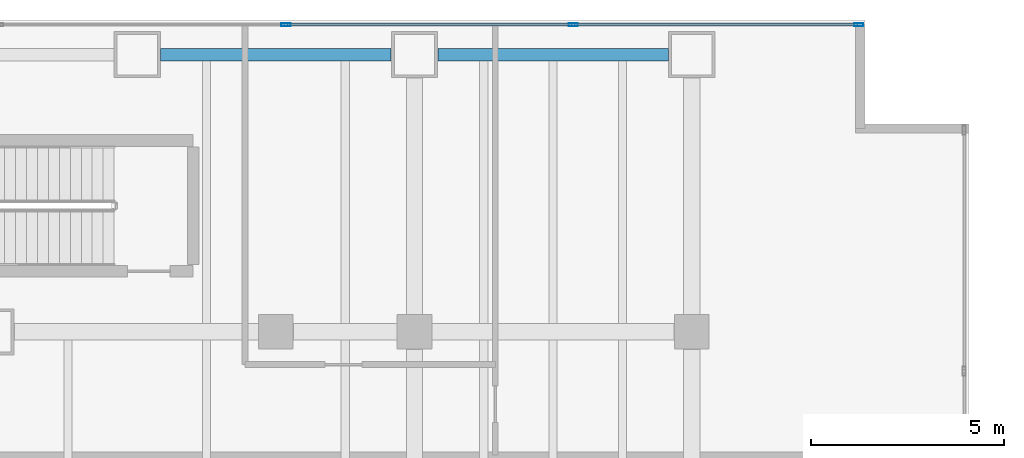
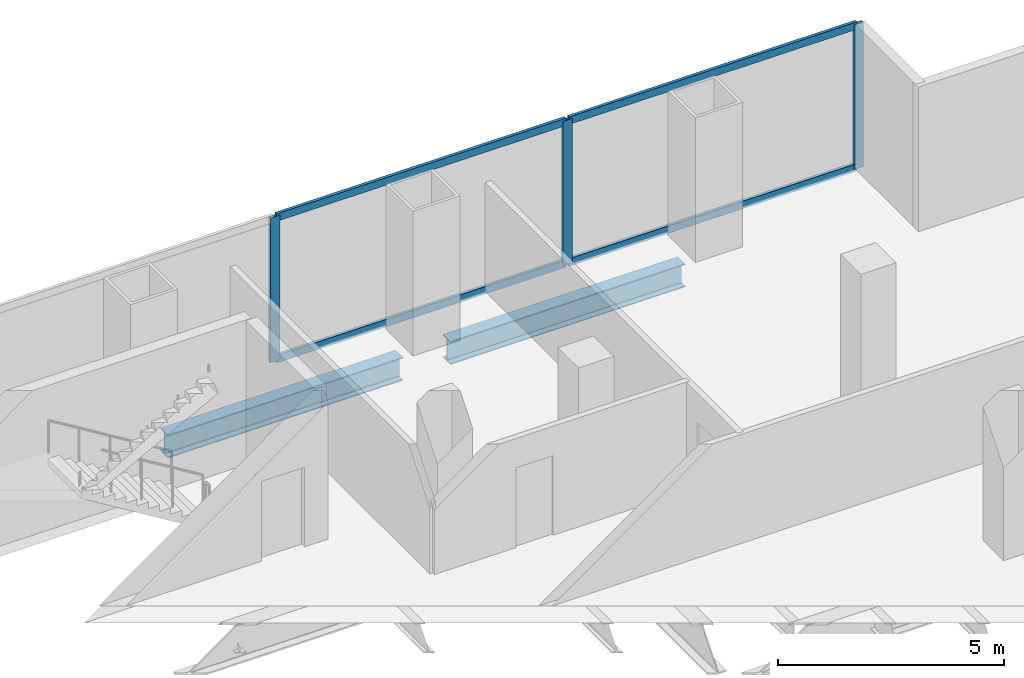
# One storey, part 16 of 34: 7 members, 2 beams, 1 element without a shape of its own.
"""IFC4 building model written with IfcOpenShell, lengths in metres."""

from ifc_helpers import new_model, si_unit, direction, frame, origin, origin_2d, place, context, subcontext, project, spatial, hollow_rectangle, i_section, extrude, material, material_profile, profile_set, type_object, element, aggregate, save


model = new_model("IFC4")

# Units and contexts
model_context = context("Model", 3, precision=1e-05, world=origin(), true_north=direction((0.0, 1.0)))
body_context = subcontext(model_context, "Body", "Model", "MODEL_VIEW")
ifc_project = project(units=[si_unit("LENGTHUNIT", "METRE"), si_unit("AREAUNIT", "SQUARE_METRE"), si_unit("VOLUMEUNIT", "CUBIC_METRE"), si_unit("PLANEANGLEUNIT", "RADIAN"), si_unit("MASSUNIT", "GRAM", prefix="KILO")], contexts=[model_context])

# Site, building, storey
site_placement = place(None, origin())
site = spatial("IfcSite", under=ifc_project, at=site_placement, CompositionType="ELEMENT")
building_placement = place(site_placement, origin())
building = spatial("IfcBuilding", under=site, at=building_placement, Name="Cobrela Telecom Tower", CompositionType="ELEMENT")
storey_placement = place(building_placement, frame((0.0, 0.0, 5.25)))
storey = spatial("IfcBuildingStorey", under=building, at=storey_placement, Name="L01", CompositionType="ELEMENT", Elevation=5.25)

# Beams
ifc_material_1 = material(Name="Steel ASTM A992 Grade 50", Category="steel")
ifc_material_profile_1 = material_profile(ifc_material_1, i_section(OverallWidth=0.327880859375, OverallDepth=0.6220703125, WebThickness=0.015380859375, FlangeThickness=0.0244140625, FilletRadius=0.014892578125, at=origin_2d()), Name="W24X131")
ifc_profile_set_1 = profile_set([ifc_material_profile_1], Name="Steel ASTM A992 Grade 50")
beam_type = type_object("IfcBeamType", Name="BM-SPAND-01", PredefinedType="SPANDREL", material=ifc_profile_set_1)
for number, where, z_axis, x_axis, name in (
    (1, (29.405029296875, 49.5, -0.611083984375), (1.0, 0.0, 0.0), (0.0, 1.0, 0.0), "L01 Perimeter Spandrel X48"),
    (2, (36.60498046875, 49.5, -0.611083984375), (1.0, 0.0, 0.0), (0.0, 1.0, 0.0), "L01 Perimeter Spandrel X49"),
):
    element("IfcBeam", number, at=place(storey_placement, frame(where, z_axis=z_axis, x_axis=x_axis)), inside=storey, type_object=beam_type, Name=name, PredefinedType="SPANDREL", context=body_context, shape_type="SweptSolid", body=[
        extrude(i_section(OverallWidth=0.327880859375, OverallDepth=0.6220703125, WebThickness=0.015380859375, FlangeThickness=0.0244140625, FilletRadius=0.014892578125, at=origin_2d()), origin(), (0.0, 0.0, 1.0), 5.989990234375),
    ])

# Curtain wall, members
ifc_material_2 = material(Name="Anodized Bronze Aluminium 6063-T6", Category="aluminium")
curtain_wall_type = type_object("IfcCurtainWallType", Name="CW-SYS-CONC", PredefinedType="USERDEFINED", material=ifc_material_2)
curtain_wall_placement = place(storey_placement, origin())
curtain_wall = element("IfcCurtainWall", 3, at=curtain_wall_placement, inside=storey, type_object=curtain_wall_type, Name="L01 Unitised Bronze Curtain Wall 07", ObjectType="UNITISED CURTAIN WALL", PredefinedType="USERDEFINED")
ifc_material_profile_2 = material_profile(ifc_material_2, hollow_rectangle(XDim=0.080078125, YDim=0.239990234375, WallThickness=0.0048828125, at=origin_2d()), Name="ALU 80x240x5")
ifc_profile_set_2 = profile_set([ifc_material_profile_2], Name="Anodized Bronze Aluminium 6063-T6")
member_type_1 = type_object("IfcMemberType", Name="CW-SYS-CONC-MUL", PredefinedType="MULLION", material=ifc_profile_set_2)
member_1_placement = place(storey_placement, frame((32.659912109375, 50.280029296875, 0.0), z_axis=(0.0, 0.0, 1.0), x_axis=(0.0, 1.0, 0.0)))
member_1 = element("IfcMember", 4, at=member_1_placement, type_object=member_type_1, Name="CW-CONC mullion 5", PredefinedType="MULLION", context=body_context, shape_type="SweptSolid", body=[
    extrude(hollow_rectangle(XDim=0.080078125, YDim=0.239990234375, WallThickness=0.0048828125, at=origin_2d()), origin(), (0.0, 0.0, 1.0), 3.89990234375),
])
member_2_placement = place(storey_placement, frame((40.1201171875, 50.280029296875, 0.0), z_axis=(0.0, 0.0, 1.0), x_axis=(0.0, 1.0, 0.0)))
member_2 = element("IfcMember", 5, at=member_2_placement, type_object=member_type_1, Name="CW-CONC mullion 6", PredefinedType="MULLION", context=body_context, shape_type="SweptSolid", body=[
    extrude(hollow_rectangle(XDim=0.080078125, YDim=0.239990234375, WallThickness=0.0048828125, at=origin_2d()), origin(), (0.0, 0.0, 1.0), 3.89990234375),
])
member_3_placement = place(storey_placement, frame((47.5400390625, 50.280029296875, 0.0), z_axis=(0.0, 0.0, 1.0), x_axis=(0.0, 1.0, 0.0)))
member_3 = element("IfcMember", 6, at=member_3_placement, type_object=member_type_1, Name="CW-CONC mullion 7", PredefinedType="MULLION", context=body_context, shape_type="SweptSolid", body=[
    extrude(hollow_rectangle(XDim=0.080078125, YDim=0.239990234375, WallThickness=0.0048828125, at=origin_2d()), origin(), (0.0, 0.0, 1.0), 3.89990234375),
])
ifc_material_profile_3 = material_profile(ifc_material_2, hollow_rectangle(XDim=0.080078125, YDim=0.199951171875, WallThickness=0.00390625, at=origin_2d()), Name="ALU 80x200x4")
ifc_profile_set_3 = profile_set([ifc_material_profile_3], Name="Anodized Bronze Aluminium 6063-T6")
member_type_2 = type_object("IfcMemberType", Name="CW-SYS-CONC-TRN", PredefinedType="USERDEFINED", material=ifc_profile_set_3)
member_4_placement = place(storey_placement, frame((32.699951171875, 50.280029296875, 0.0400390625), z_axis=(1.0, 0.0, 0.0), x_axis=(0.0, 1.0, 0.0)))
member_4 = element("IfcMember", 7, at=member_4_placement, type_object=member_type_2, Name="CW-CONC transom 5.1", ObjectType="TRANSOM", PredefinedType="USERDEFINED", context=body_context, shape_type="SweptSolid", body=[
    extrude(hollow_rectangle(XDim=0.080078125, YDim=0.199951171875, WallThickness=0.00390625, at=origin_2d()), origin(), (0.0, 0.0, 1.0), 7.380126953125),
])
member_5_placement = place(storey_placement, frame((32.699951171875, 50.280029296875, 3.860107421875), z_axis=(1.0, 0.0, 0.0), x_axis=(0.0, 1.0, 0.0)))
member_5 = element("IfcMember", 8, at=member_5_placement, type_object=member_type_2, Name="CW-CONC transom 5.2", ObjectType="TRANSOM", PredefinedType="USERDEFINED", context=body_context, shape_type="SweptSolid", body=[
    extrude(hollow_rectangle(XDim=0.080078125, YDim=0.199951171875, WallThickness=0.00390625, at=origin_2d()), origin(), (0.0, 0.0, 1.0), 7.380126953125),
])
member_6_placement = place(storey_placement, frame((40.159912109375, 50.280029296875, 0.0400390625), z_axis=(1.0, 0.0, 0.0), x_axis=(0.0, 1.0, 0.0)))
member_6 = element("IfcMember", 9, at=member_6_placement, type_object=member_type_2, Name="CW-CONC transom 6.1", ObjectType="TRANSOM", PredefinedType="USERDEFINED", context=body_context, shape_type="SweptSolid", body=[
    extrude(hollow_rectangle(XDim=0.080078125, YDim=0.199951171875, WallThickness=0.00390625, at=origin_2d()), origin(), (0.0, 0.0, 1.0), 7.340087890625),
])
member_7_placement = place(storey_placement, frame((40.159912109375, 50.280029296875, 3.860107421875), z_axis=(1.0, 0.0, 0.0), x_axis=(0.0, 1.0, 0.0)))
member_7 = element("IfcMember", 10, at=member_7_placement, type_object=member_type_2, Name="CW-CONC transom 6.2", ObjectType="TRANSOM", PredefinedType="USERDEFINED", context=body_context, shape_type="SweptSolid", body=[
    extrude(hollow_rectangle(XDim=0.080078125, YDim=0.199951171875, WallThickness=0.00390625, at=origin_2d()), origin(), (0.0, 0.0, 1.0), 7.340087890625),
])
aggregate(curtain_wall, [member_1, member_2, member_3, member_4, member_5, member_6, member_7])

save(model, "model.ifc")
